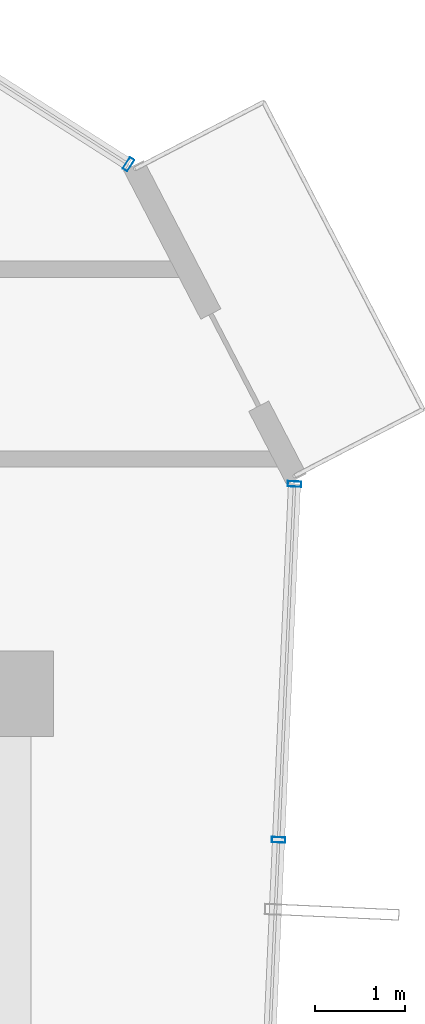
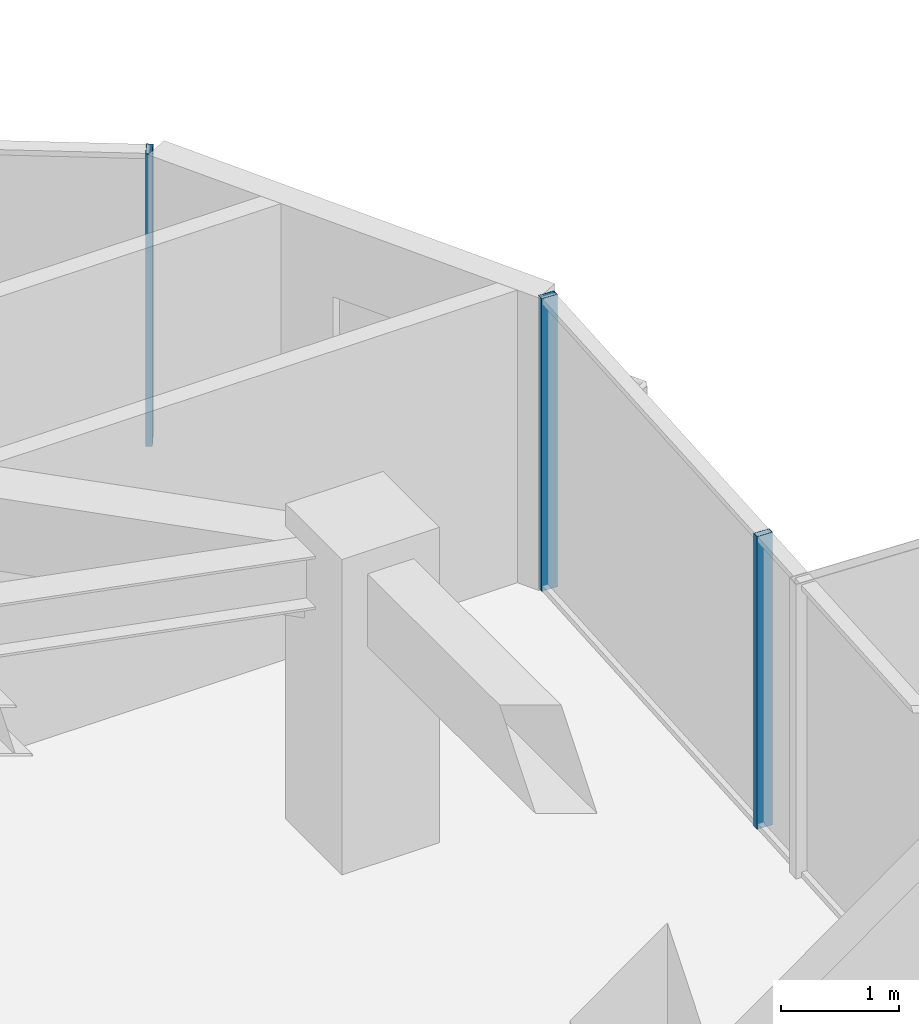
# One storey, part 17 of 29: 3 members, 2 elements without a shape of their own.
"""IFC4 building model written with IfcOpenShell, lengths in metres."""

from ifc_helpers import new_model, si_unit, direction, frame, origin, origin_2d, place, context, subcontext, project, spatial, hollow_rectangle, extrude, source, transform, mapped, material, layer, layer_set, material_profile, profile_set, type_object, element, aggregate, save


model = new_model("IFC4")

# Units and contexts
model_context = context("Model", 3, precision=1e-05, world=origin(), true_north=direction((0.0, 1.0)))
body_context = subcontext(model_context, "Body", "Model", "MODEL_VIEW")
ifc_project = project(units=[si_unit("LENGTHUNIT", "METRE"), si_unit("AREAUNIT", "SQUARE_METRE"), si_unit("VOLUMEUNIT", "CUBIC_METRE"), si_unit("PLANEANGLEUNIT", "RADIAN"), si_unit("MASSUNIT", "GRAM", prefix="KILO")], contexts=[model_context])

# Site, building, storey
site_placement = place(None, origin())
site = spatial("IfcSite", under=ifc_project, at=site_placement, CompositionType="ELEMENT")
building_placement = place(site_placement, origin())
building = spatial("IfcBuilding", under=site, at=building_placement, Name="Veraguas Prism Commons", CompositionType="ELEMENT")
storey_placement = place(building_placement, frame((0.0, 0.0, 215.64990234375)))
storey = spatial("IfcBuildingStorey", under=building, at=storey_placement, Name="L61", CompositionType="ELEMENT", Elevation=215.64990234375)

# Curtain wall, member
ifc_material = material(Name="Anodised aluminium EN AW-6063 T6", Category="aluminium")
ifc_layer = layer(ifc_material, 0.14990234375, Name="Unitised Flush Curtain Wall Zone 3", Category="aluminium")
ifc_layer_set = layer_set([ifc_layer], Name="Anodised aluminium EN AW-6063 T6")
curtain_wall_type = type_object("IfcCurtainWallType", Name="Unitised Flush Curtain Wall Zone 3", PredefinedType="NOTDEFINED", material=ifc_layer_set)
curtain_wall_1_placement = place(storey_placement, origin())
curtain_wall_1 = element("IfcCurtainWall", 1, at=curtain_wall_1_placement, inside=storey, type_object=curtain_wall_type, Name="Tower Facade Curtain Wall L61-F1", PredefinedType="NOTDEFINED")
ifc_material_profile = material_profile(ifc_material, hollow_rectangle(XDim=0.06005859375, YDim=0.14990234375, WallThickness=0.0029296875, at=origin_2d()), Name="AL60X150X3")
ifc_profile_set = profile_set([ifc_material_profile], Name="Anodised aluminium EN AW-6063 T6")
member_type = type_object("IfcMemberType", Name="Curtain Wall Mullion Upper AL 60x150x3", PredefinedType="MULLION", material=ifc_profile_set)
shared_shape = source(origin(), body_context, "Body", "SweptSolid", [
    extrude(hollow_rectangle(XDim=0.06005859375, YDim=0.14990234375, WallThickness=0.0029296875, at=origin_2d()), origin(), (0.0, 0.0, 1.0), 3.01513671875),
])
member_1_placement = place(storey_placement, frame((40.20751953125, 34.66357421875, 0.0), z_axis=(0.0, 0.0, 1.0), x_axis=(-0.842828324641, 0.538182511035, 0.0)))
member_1 = element("IfcMember", 2, at=member_1_placement, type_object=member_type, Name="CW-Z3 Mullion 1", PredefinedType="MULLION", context=body_context, shape_type="MappedRepresentation", body=[
    mapped(shared_shape, transform((0.0, 0.0, 0.0), scale=1.0)),
])
aggregate(curtain_wall_1, [member_1])

# Curtain wall, members
curtain_wall_2_placement = place(storey_placement, origin())
curtain_wall_2 = element("IfcCurtainWall", 3, at=curtain_wall_2_placement, inside=storey, type_object=curtain_wall_type, Name="Tower Facade Curtain Wall L61-F6", PredefinedType="NOTDEFINED")
member_2_placement = place(storey_placement, frame((41.8701171875, 27.1806640625, 0.0), z_axis=(0.0, 0.0, 1.0), x_axis=(0.044665564108, 0.999001995685, 0.0)))
member_2 = element("IfcMember", 4, at=member_2_placement, type_object=member_type, Name="CW-Z3 Mullion 4", PredefinedType="MULLION", context=body_context, shape_type="MappedRepresentation", body=[
    mapped(shared_shape, transform((0.0, 0.0, 0.0), scale=1.0)),
])
member_3_placement = place(storey_placement, frame((42.04638671875, 31.122314453125, 0.0), z_axis=(0.0, 0.0, 1.0), x_axis=(0.044665564108, 0.999001995685, 0.0)))
member_3 = element("IfcMember", 5, at=member_3_placement, type_object=member_type, Name="CW-Z3 Mullion 5", PredefinedType="MULLION", context=body_context, shape_type="MappedRepresentation", body=[
    mapped(shared_shape, transform((0.0, 0.0, 0.0), scale=1.0)),
])
aggregate(curtain_wall_2, [member_2, member_3])

save(model, "model.ifc")
